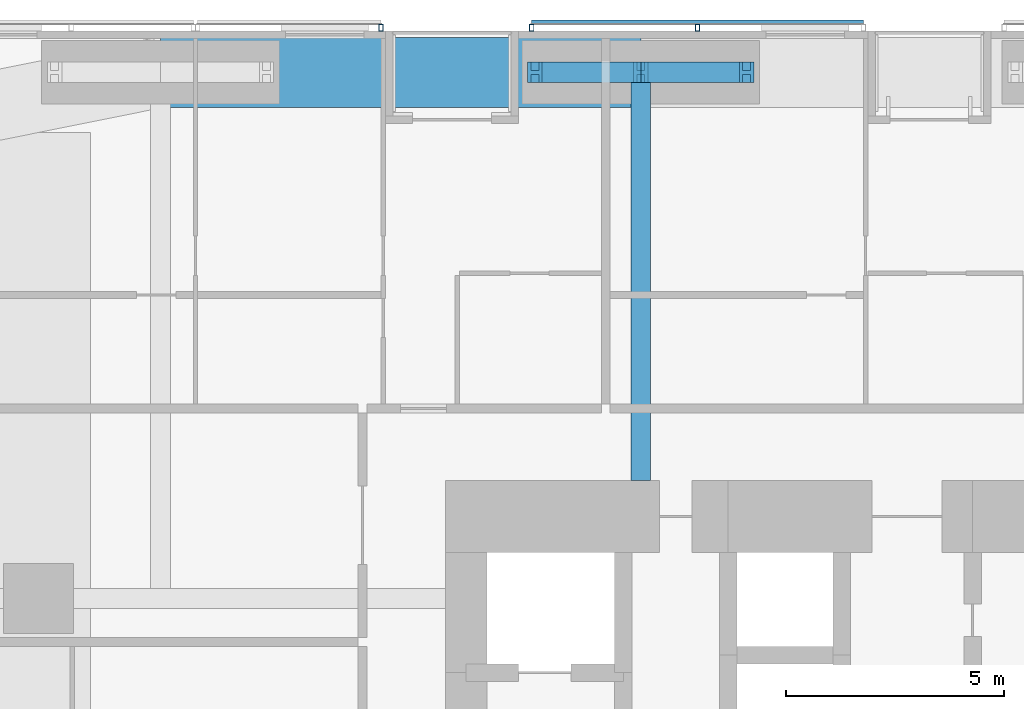
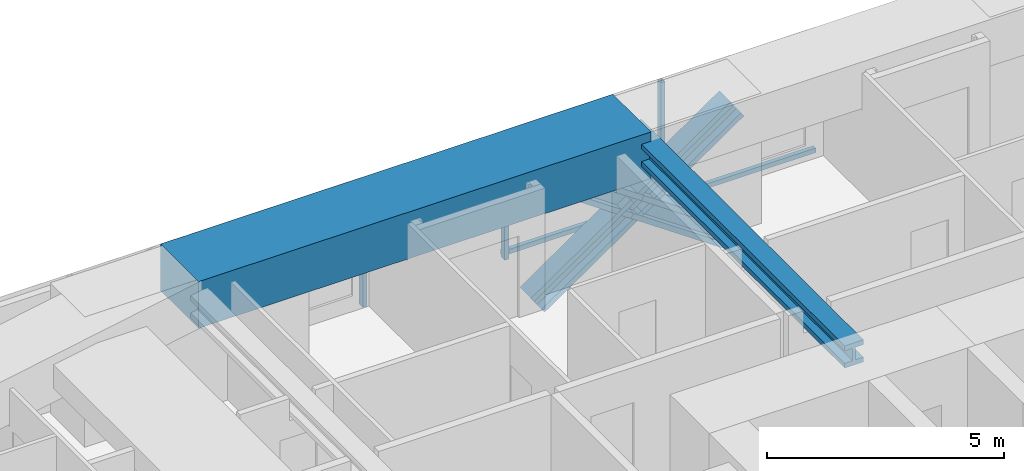
# One storey, part 12 of 23: 8 members, 2 beams, 2 elements without a shape of their own.
"""IFC4 building model written with IfcOpenShell, lengths in metres."""

from ifc_helpers import new_model, si_unit, direction, frame, origin, origin_2d, place, context, subcontext, project, spatial, rectangle, hollow_rectangle, i_section, extrude, material, material_profile, profile_set, type_object, element, aggregate, save


model = new_model("IFC4")

# Units and contexts
model_context = context("Model", 3, precision=1e-05, world=origin(), true_north=direction((0.0, 1.0)))
body_context = subcontext(model_context, "Body", "Model", "MODEL_VIEW")
ifc_project = project(units=[si_unit("LENGTHUNIT", "METRE"), si_unit("AREAUNIT", "SQUARE_METRE"), si_unit("VOLUMEUNIT", "CUBIC_METRE"), si_unit("PLANEANGLEUNIT", "RADIAN"), si_unit("MASSUNIT", "GRAM", prefix="KILO")], contexts=[model_context])

# Site, building, storey
site_placement = place(None, origin())
site = spatial("IfcSite", under=ifc_project, at=site_placement, CompositionType="ELEMENT")
building_placement = place(site_placement, origin())
building = spatial("IfcBuilding", under=site, at=building_placement, Name="Jalousie Tower", CompositionType="ELEMENT")
storey_placement = place(building_placement, frame((0.0, 0.0, 37.75)))
storey = spatial("IfcBuildingStorey", under=building, at=storey_placement, Name="L09", CompositionType="ELEMENT", Elevation=37.75)

# Beam
ifc_material_1 = material(Name="Steel ASTM A992 Grade 50", Category="steel")
ifc_material_profile_1 = material_profile(ifc_material_1, i_section(OverallWidth=0.45458984375, OverallDepth=0.569091796875, WebThickness=0.077880859375, FlangeThickness=0.124755859375, at=origin_2d()), Name="W14X730")
ifc_profile_set_1 = profile_set([ifc_material_profile_1], Name="Steel ASTM A992 Grade 50")
beam_type_1 = type_object("IfcBeamType", Name="LEAN COLLECTOR W14X730", PredefinedType="BEAM", material=ifc_profile_set_1)
beam_1_placement = place(storey_placement, frame((24.0, 37.050048828125, 2.825439453125), z_axis=(0.0, -1.0, 0.0), x_axis=(1.0, 0.0, 0.0)))
element("IfcBeam", 1, at=beam_1_placement, inside=storey, type_object=beam_type_1, Name="Lean collector under L10", PredefinedType="BEAM", context=body_context, shape_type="SweptSolid", body=[
    extrude(i_section(OverallWidth=0.45458984375, OverallDepth=0.569091796875, WebThickness=0.077880859375, FlangeThickness=0.124755859375, at=origin_2d()), origin(), (0.0, 0.0, 1.0), 9.35009765625),
])

# Members
ifc_material_2 = material(Name="Steel ASTM A992 Grade 50", Category="steel")
ifc_material_profile_2 = material_profile(ifc_material_2, i_section(OverallWidth=0.472412109375, OverallDepth=0.5791015625, WebThickness=0.094970703125, FlangeThickness=0.1298828125, at=origin_2d()), Name="W14X808")
ifc_profile_set_2 = profile_set([ifc_material_profile_2], Name="Steel ASTM A992 Grade 50")
member_type_1 = type_object("IfcMemberType", Name="PERIMETER BRACE W14X808", PredefinedType="BRACE", material=ifc_profile_set_2)
for number, where, z_axis, x_axis, name in (
    (2, (21.574951171875, 37.050048828125, -0.60009765625), (0.822800062329, 0.0, 0.568330940062), (0.0, 1.0, 0.0), "Perimeter brace 10 L09 part 1"),
    (3, (24.0, 37.050048828125, 1.074951171875), (0.822800062329, 0.0, 0.568330940062), (0.0, 1.0, 0.0), "Perimeter brace 10 L09 part 2"),
    (4, (26.425048828125, 37.050048828125, -0.60009765625), (-0.822800062329, 0.0, 0.568330940062), (0.0, -1.0, 0.0), "Perimeter brace 10 L09 part 3"),
    (5, (24.0, 37.050048828125, 1.074951171875), (-0.822800062329, 0.0, 0.568330940062), (0.0, -1.0, 0.0), "Perimeter brace 10 L09 part 4"),
):
    element("IfcMember", number, at=place(storey_placement, frame(where, z_axis=z_axis, x_axis=x_axis)), inside=storey, type_object=member_type_1, Name=name, PredefinedType="BRACE", context=body_context, shape_type="SweptSolid", body=[
        extrude(i_section(OverallWidth=0.472412109375, OverallDepth=0.5791015625, WebThickness=0.094970703125, FlangeThickness=0.1298828125, at=origin_2d()), origin(), (0.0, 0.0, 1.0), 2.947265625),
    ])

# Beam
ifc_material_3 = material(Name="Concrete f'c 40 MPa", Category="concrete")
ifc_material_profile_3 = material_profile(ifc_material_3, rectangle(XDim=1.60009765625, YDim=1.199951171875, at=origin_2d()), Name="RC 1600x1200")
ifc_profile_set_3 = profile_set([ifc_material_profile_3], Name="Concrete f'c 40 MPa")
beam_type_2 = type_object("IfcBeamType", Name="RC BEAM 1600x1200", PredefinedType="BEAM", material=ifc_profile_set_3)
beam_2_placement = place(storey_placement, frame((24.0, 37.050048828125, 2.75), z_axis=(-1.0, 0.0, 0.0), x_axis=(0.0, -1.0, 0.0)))
element("IfcBeam", 6, at=beam_2_placement, inside=storey, type_object=beam_type_2, Name="Edge band beam 10-11 under L10", PredefinedType="BEAM", context=body_context, shape_type="SweptSolid", body=[
    extrude(rectangle(XDim=1.60009765625, YDim=1.199951171875, at=origin_2d()), origin(), (0.0, 0.0, 1.0), 11.0),
])

# Curtain wall, members
ifc_material_4 = material(Name="Perforated aluminium sheet", Category="aluminium")
curtain_wall_type = type_object("IfcCurtainWallType", Name="SOLAR SCREEN SS-1", PredefinedType="USERDEFINED", material=ifc_material_4)
curtain_wall_1_placement = place(storey_placement, origin())
curtain_wall_1 = element("IfcCurtainWall", 7, at=curtain_wall_1_placement, inside=storey, type_object=curtain_wall_type, Name="Solar screen L09", ObjectType="SOLAR SCREEN SS-1", PredefinedType="USERDEFINED")
ifc_material_5 = material(Name="Steel ASTM A500 Grade C", Category="steel")
ifc_material_profile_4 = material_profile(ifc_material_5, hollow_rectangle(XDim=0.1015625, YDim=0.15234375, WallThickness=0.00634765625, at=origin_2d()), Name="HSS6X4X1/4")
ifc_profile_set_4 = profile_set([ifc_material_profile_4], Name="Steel ASTM A500 Grade C")
member_type_2 = type_object("IfcMemberType", Name="SOLAR SCREEN SS-1 MULLION", PredefinedType="MULLION", material=ifc_profile_set_4)
member_1_placement = place(storey_placement, frame((25.300048828125, 38.0712890625, -0.1201171875), z_axis=(0.0, 0.0, 1.0), x_axis=(-1.0, 0.0, 0.0)))
member_1 = element("IfcMember", 8, at=member_1_placement, type_object=member_type_2, Name="SS1 post 2", PredefinedType="MULLION", context=body_context, shape_type="SweptSolid", body=[
    extrude(hollow_rectangle(XDim=0.1015625, YDim=0.15234375, WallThickness=0.00634765625, at=origin_2d()), origin(), (0.0, 0.0, 1.0), 3.230224609375),
])
member_2_placement = place(storey_placement, frame((21.5, 38.0712890625, -0.1201171875), z_axis=(0.0, 0.0, 1.0), x_axis=(-1.0, 0.0, 0.0)))
member_2 = element("IfcMember", 9, at=member_2_placement, type_object=member_type_2, Name="SS1 post 3", PredefinedType="MULLION", context=body_context, shape_type="SweptSolid", body=[
    extrude(hollow_rectangle(XDim=0.1015625, YDim=0.15234375, WallThickness=0.00634765625, at=origin_2d()), origin(), (0.0, 0.0, 1.0), 3.230224609375),
])

# Curtain wall, member
curtain_wall_2_placement = place(storey_placement, origin())
curtain_wall_2 = element("IfcCurtainWall", 10, at=curtain_wall_2_placement, inside=storey, type_object=curtain_wall_type, Name="Solar screen L09", ObjectType="SOLAR SCREEN SS-1", PredefinedType="USERDEFINED")
member_3_placement = place(storey_placement, frame((18.050048828125, 38.0712890625, -0.1201171875), z_axis=(0.0, 0.0, 1.0), x_axis=(-1.0, 0.0, 0.0)))
member_3 = element("IfcMember", 11, at=member_3_placement, type_object=member_type_2, Name="SS1 post 1", PredefinedType="MULLION", context=body_context, shape_type="SweptSolid", body=[
    extrude(hollow_rectangle(XDim=0.1015625, YDim=0.15234375, WallThickness=0.00634765625, at=origin_2d()), origin(), (0.0, 0.0, 1.0), 3.230224609375),
])
aggregate(curtain_wall_2, [member_3])

# Member
ifc_material_6 = material(Name="Extruded aluminium screen rail", Category="aluminium")
ifc_material_profile_5 = material_profile(ifc_material_6, rectangle(XDim=0.1015625, YDim=0.1201171875, at=origin_2d()), Name="RAIL 102x120")
ifc_profile_set_5 = profile_set([ifc_material_profile_5], Name="Extruded aluminium screen rail")
member_type_3 = type_object("IfcMemberType", Name="SOLAR SCREEN SS-1 TRANSOM", PredefinedType="USERDEFINED", material=ifc_profile_set_5)
member_4_placement = place(storey_placement, frame((29.10009765625, 38.1982421875, -0.06005859375), z_axis=(-1.0, 0.0, 0.0), x_axis=(0.0, -1.0, 0.0)))
member_4 = element("IfcMember", 12, at=member_4_placement, type_object=member_type_3, Name="SS1 rail", ObjectType="TRANSOM", PredefinedType="USERDEFINED", context=body_context, shape_type="SweptSolid", body=[
    extrude(rectangle(XDim=0.1015625, YDim=0.1201171875, at=origin_2d()), origin(), (0.0, 0.0, 1.0), 7.60009765625),
])

aggregate(curtain_wall_1, [member_1, member_2, member_4])

save(model, "model.ifc")
